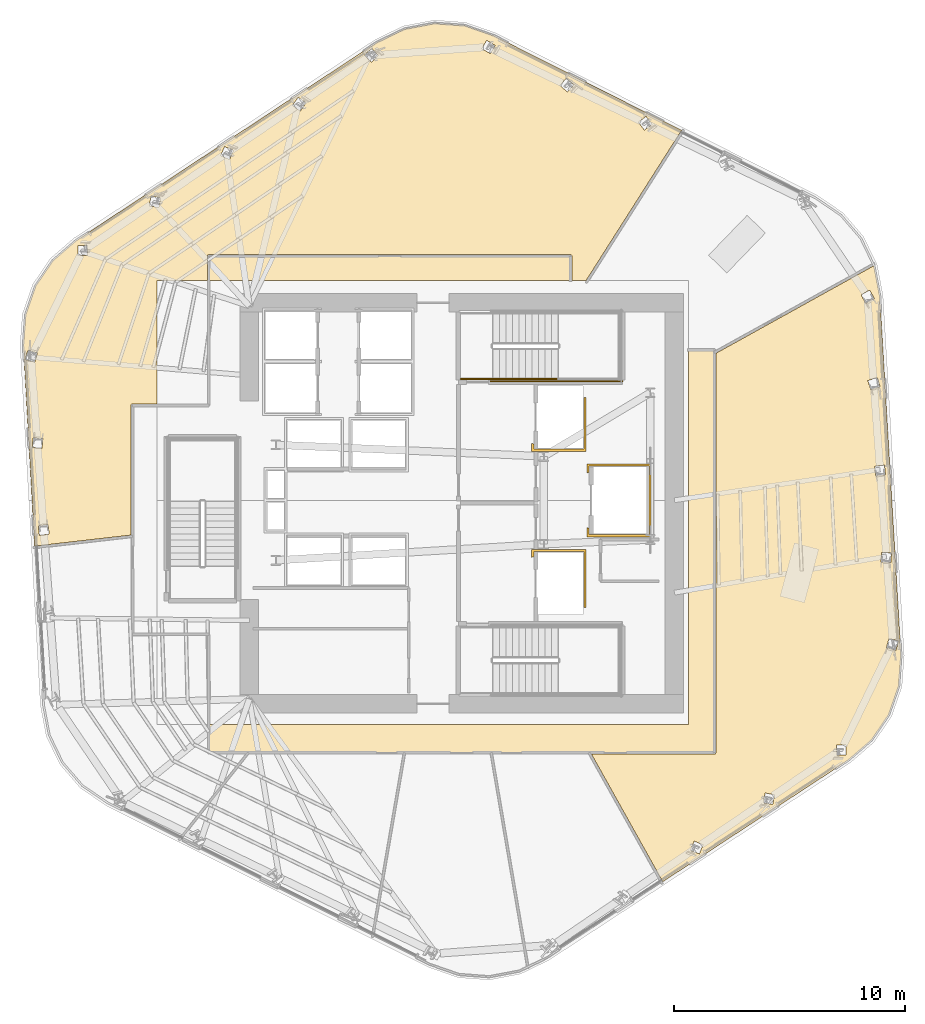
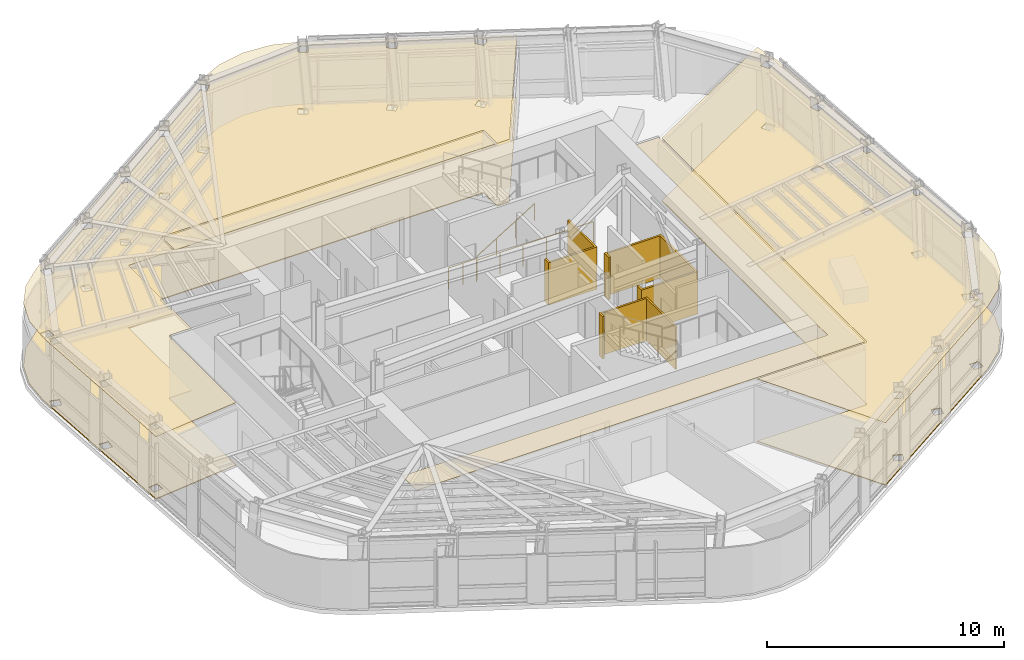
# One storey, part 12 of 15: 9 coverings, 3 railings.
"""IFC4 building model written with IfcOpenShell, lengths in metres."""

import ifcopenshell
import ifcopenshell.guid

model = None  # the IFC model being written
_history = None  # IfcOwnerHistory: only IFC2X3 demands one
_inside = {}  # id of a spatial element -> (the spatial element, [elements in it])
_under = {}  # id of a project, library or spatial element -> (it, [spatial elements below it])
_declared = {}  # id of a project -> (the project, [libraries it declares])
_typed = {}  # id of a type object -> (the type object, [elements of that type])
_made_of = {}  # id of a material, layer set ... -> (it, [elements and type objects made of it])


def new_model(schema):
    """Start an empty IFC model of exactly this schema.

    Asked for "IFC4X3", IfcOpenShell would pick the latest addendum, in which some entities
    have other attributes; the version numbers below select the first issue.
    IFC2X3 requires an IfcOwnerHistory on every rooted entity: one is made here for all.
    """
    global model, _history
    if schema == "IFC4X3":
        model = ifcopenshell.file(schema_version=(4, 3, 0, 0))
    else:
        model = ifcopenshell.file(schema=schema)
    _inside.clear()
    _under.clear()
    _declared.clear()
    _typed.clear()
    _made_of.clear()
    _history = None
    if model.schema == "IFC2X3":
        org = make("IfcOrganization", Name="unknown")
        user = make(
            "IfcPersonAndOrganization",
            ThePerson=make("IfcPerson", FamilyName="unknown"),
            TheOrganization=org,
        )
        app = make(
            "IfcApplication",
            ApplicationDeveloper=org,
            Version="unknown",
            ApplicationFullName="unknown",
            ApplicationIdentifier="unknown",
        )
        _history = make(
            "IfcOwnerHistory",
            OwningUser=user,
            OwningApplication=app,
            ChangeAction="ADDED",
            CreationDate=0,
        )
    return model


def make(cls, **values):
    """One entity of the class cls with the attributes given. An attribute that is None is left unset."""
    return model.create_entity(
        cls, **{name: value for name, value in values.items() if value is not None}
    )


def rooted(cls, **values):
    """An entity with a GlobalId (a new one), such as an element, a storey or a relation."""
    return make(cls, GlobalId=ifcopenshell.guid.new(), OwnerHistory=_history, **values)


def si_unit(unit_type, name, prefix=None):
    """IfcSIUnit, for example si_unit("LENGTHUNIT", "METRE", prefix="MILLI")."""
    return make("IfcSIUnit", UnitType=unit_type, Prefix=prefix, Name=name)


def assignment(units):
    """IfcUnitAssignment: the units of a project."""
    return None if units is None else make("IfcUnitAssignment", Units=units)


def point(xyz):
    """IfcCartesianPoint."""
    return None if xyz is None else make("IfcCartesianPoint", Coordinates=xyz)


def direction(xyz):
    """IfcDirection."""
    return None if xyz is None else make("IfcDirection", DirectionRatios=xyz)


def frame(location, z_axis=None, x_axis=None):
    """IfcAxis2Placement3D, a coordinate frame: its origin and axes. An axis left out is left unset."""
    return make(
        "IfcAxis2Placement3D",
        Location=point(location),
        Axis=direction(z_axis),
        RefDirection=direction(x_axis),
    )


def frame_2d(location, x_axis=None):
    """IfcAxis2Placement2D, a coordinate frame in the plane: its origin and x axis."""
    return make(
        "IfcAxis2Placement2D", Location=point(location), RefDirection=direction(x_axis)
    )


def origin():
    """The frame at (0, 0, 0) with its axes left unset."""
    return frame((0.0, 0.0, 0.0))


def origin_2d():
    """The frame at (0, 0) in the plane with its x axis left unset."""
    return frame_2d((0.0, 0.0))


def place(relative_to, where):
    """IfcLocalPlacement: puts the frame where relative to a parent placement (None: the world)."""
    return make(
        "IfcLocalPlacement", PlacementRelTo=relative_to, RelativePlacement=where
    )


def context(
    kind, dimensions, precision=None, world=None, true_north=None, identifier=None
):
    """IfcGeometricRepresentationContext, for example the 3D "Model" context."""
    return make(
        "IfcGeometricRepresentationContext",
        ContextIdentifier=identifier,
        ContextType=kind,
        CoordinateSpaceDimension=dimensions,
        Precision=precision,
        WorldCoordinateSystem=world,
        TrueNorth=true_north,
    )


def subcontext(parent, identifier, kind, view, scale=None):
    """IfcGeometricRepresentationSubContext, for example "Body" below "Model"."""
    return make(
        "IfcGeometricRepresentationSubContext",
        ContextIdentifier=identifier,
        ContextType=kind,
        ParentContext=parent,
        TargetScale=scale,
        TargetView=view,
    )


def project(units=None, contexts=None):
    """IfcProject with its units and contexts."""
    return rooted(
        "IfcProject",
        Name="project",
        RepresentationContexts=contexts,
        UnitsInContext=assignment(units),
    )


def spatial(cls, under=None, at=None, **own):
    """A site, building, storey or space (cls), placed at a placement, below another one or the project."""
    s = rooted(cls, ObjectPlacement=at, **own)
    if under is not None:
        _under.setdefault(under.id(), (under, []))[1].append(s)
    return s


def polyline(points):
    """IfcPolyline through the points."""
    return make("IfcPolyline", Points=[point(p) for p in points])


def profile(cls, at=None, kind="AREA", **sizes):
    """A parametric profile (cls). Its sizes go by their IFC names, for example OverallWidth=200.0."""
    return make(cls, ProfileType=kind, Position=at, **sizes)


def circle(**sizes):
    """IfcCircleProfileDef."""
    return profile("IfcCircleProfileDef", **sizes)


def outline(outer, holes=None, kind="AREA"):
    """IfcArbitraryClosedProfileDef: a profile drawn as a closed curve; with holes, ...WithVoids."""
    if holes is None:
        return make("IfcArbitraryClosedProfileDef", ProfileType=kind, OuterCurve=outer)
    return make(
        "IfcArbitraryProfileDefWithVoids",
        ProfileType=kind,
        OuterCurve=outer,
        InnerCurves=holes,
    )


def extrude(swept, where, along, depth):
    """IfcExtrudedAreaSolid: the profile swept, set in the frame where, extruded along a direction by depth."""
    return make(
        "IfcExtrudedAreaSolid",
        SweptArea=swept,
        Position=where,
        ExtrudedDirection=direction(along),
        Depth=depth,
    )


def shape(context_of_items, identifier, shape_type, items):
    """IfcShapeRepresentation: the items that make up one representation, for example the "Body"."""
    return make(
        "IfcShapeRepresentation",
        ContextOfItems=context_of_items,
        RepresentationIdentifier=identifier,
        RepresentationType=shape_type,
        Items=items,
    )


def material(Name=None, Category=None):
    """IfcMaterial."""
    return make("IfcMaterial", Name=Name, Category=Category)


def layer(
    of_material, thickness, ventilated=None, Name=None, Category=None, Priority=None
):
    """IfcMaterialLayer: one layer of a wall or slab, of a material (None: an air gap)."""
    return make(
        "IfcMaterialLayer",
        Material=of_material,
        LayerThickness=thickness,
        IsVentilated=ventilated,
        Name=Name,
        Category=Category,
        Priority=Priority,
    )


def layer_set(layers, Name=None):
    """IfcMaterialLayerSet."""
    return make("IfcMaterialLayerSet", MaterialLayers=layers, LayerSetName=Name)


def made_of(thing, what):
    """Note that an element or type object is made of a material, layer set ...; save() writes the relation."""
    if what is not None:
        _made_of.setdefault(what.id(), (what, []))[1].append(thing)
    return thing


def type_object(cls, material=None, **own):
    """A type object (cls), such as IfcWallType, which elements share."""
    return made_of(rooted(cls, **own), material)


def element(
    cls,
    number,
    at=None,
    inside=None,
    cuts=None,
    type_object=None,
    material=None,
    context=None,
    identifier="Body",
    shape_type=None,
    held_by="IfcProductDefinitionShape",
    body=None,
    shapes=None,
    **own,
):
    """One element of the class cls, such as IfcWall. Its Tag is "e" and its number.

    at: its placement. inside: the storey or other place that contains it. cuts: it is an
    opening in that element (IfcRelVoidsElement). A single representation is given by context,
    identifier, shape_type and body (its items); several are given by shapes. held_by: the class
    of the entity that holds the representations. save() writes the other relations.
    """
    e = rooted(cls, Tag="e%d" % number, ObjectPlacement=at, **own)
    if body is not None:
        shapes = [shape(context, identifier, shape_type, body)]
    if shapes is not None:
        e.Representation = make(held_by, Representations=shapes)
    if inside is not None:
        _inside.setdefault(inside.id(), (inside, []))[1].append(e)
    if cuts is not None:
        rooted(
            "IfcRelVoidsElement", RelatingBuildingElement=cuts, RelatedOpeningElement=e
        )
    if type_object is not None:
        _typed.setdefault(type_object.id(), (type_object, []))[1].append(e)
    return made_of(e, material)


def aggregate(whole, parts):
    """IfcRelAggregates: a whole, such as a stair, and the parts it consists of."""
    return rooted("IfcRelAggregates", RelatingObject=whole, RelatedObjects=parts)


def save(model, path):
    """Write the relations noted so far, then the file.

    IfcRelAggregates (storeys below a building ...), IfcRelContainedInSpatialStructure (elements
    in a storey), IfcRelDefinesByType, IfcRelAssociatesMaterial and IfcRelDeclares: one each for
    every whole, place, type object, material and project.
    """
    for whole, parts in _under.values():
        aggregate(whole, parts)
    for where, things in _inside.values():
        rooted(
            "IfcRelContainedInSpatialStructure",
            RelatedElements=things,
            RelatingStructure=where,
        )
    for kind, things in _typed.values():
        rooted("IfcRelDefinesByType", RelatedObjects=things, RelatingType=kind)
    for what, things in _made_of.values():
        rooted("IfcRelAssociatesMaterial", RelatedObjects=things, RelatingMaterial=what)
    for by, libraries in _declared.values():
        rooted("IfcRelDeclares", RelatingContext=by, RelatedDefinitions=libraries)
    model.write(path)


model = new_model("IFC4")

# Units and contexts
model_context = context("Model", 3, precision=1e-05, world=origin(), true_north=direction((0.0, 1.0)))
body_context = subcontext(model_context, "Body", "Model", "MODEL_VIEW")
ifc_project = project(units=[si_unit("LENGTHUNIT", "METRE"), si_unit("AREAUNIT", "SQUARE_METRE"), si_unit("VOLUMEUNIT", "CUBIC_METRE"), si_unit("PLANEANGLEUNIT", "RADIAN"), si_unit("MASSUNIT", "GRAM", prefix="KILO")], contexts=[model_context])

# Site, building, storey
site_placement = place(None, origin())
site = spatial("IfcSite", under=ifc_project, at=site_placement, CompositionType="ELEMENT")
building_placement = place(site_placement, origin())
building = spatial("IfcBuilding", under=site, at=building_placement, Name="Valkerne Bourse Tower", CompositionType="ELEMENT")
storey_placement = place(building_placement, frame((0.0, 0.0, 166.60009765625)))
storey = spatial("IfcBuildingStorey", under=building, at=storey_placement, Name="L42", CompositionType="ELEMENT", Elevation=166.60009765625)

# Coverings
ifc_material_1 = material(Name="Mineral Fiber Acoustic Ceiling Tile", Category="acoustic")
ifc_layer_1 = layer(ifc_material_1, 0.02490234375)
ifc_layer_set_1 = layer_set([ifc_layer_1], Name="Mineral Fiber Acoustic Ceiling Tile")
covering_type_1 = type_object("IfcCoveringType", Name="COV-CEIL-ACT", PredefinedType="CEILING", material=ifc_layer_set_1)
covering_1_placement = place(storey_placement, frame((0.0, 0.0, 3.22998046875)))
element("IfcCovering", 1, at=covering_1_placement, inside=storey, type_object=covering_type_1, Name="L42 Suspended Ceiling 09", PredefinedType="CEILING", context=body_context, shape_type="SweptSolid", body=[
    extrude(outline(polyline([(64.527587890625, 16.61962890625), (63.521484375, 15.751220703125), (55.493408203125, 10.492431640625), (52.4091796875, 16.010986328125), (57.720458984375, 16.010986328125), (57.755126953125, 16.0205078125), (57.779541015625, 16.044921875), (57.7890625, 16.07958984375), (57.7890625, 33.358154296875), (64.63134765625, 37.15185546875), (64.883056640625, 35.84375), (65.800537109375, 20.282470703125), (65.703125, 18.957275390625), (65.269287109375, 17.7109375), (64.527587890625, 16.61962890625)]), holes=[polyline([(57.07275390625, 11.69580078125), (57.237548828125, 12.086181640625), (56.856689453125, 12.248046875), (56.8544921875, 12.24658203125), (56.689697265625, 11.856201171875), (57.070556640625, 11.694091796875), (57.07275390625, 11.69580078125)]), polyline([(60.25048828125, 13.836181640625), (60.33203125, 14.251953125), (59.926025390625, 14.3330078125), (59.92431640625, 14.3310546875), (59.842529296875, 13.915283203125), (60.24853515625, 13.834228515625), (60.25048828125, 13.836181640625)]), polyline([(63.419921875, 16.4072265625), (63.006103515625, 16.410888671875), (63.00439453125, 16.408447265625), (63.002197265625, 15.98486328125), (63.416015625, 15.981201171875), (63.417724609375, 15.983642578125), (63.419921875, 16.4072265625)]), polyline([(65.692626953125, 20.908203125), (65.28369140625, 21.021728515625), (65.28271484375, 21.01904296875), (65.172119140625, 20.62109375), (65.581298828125, 20.50732421875), (65.582275390625, 20.510009765625), (65.692626953125, 20.908203125)]), polyline([(65.3935546875, 24.7158203125), (64.97021484375, 24.750732421875), (64.969970703125, 24.748046875), (64.936279296875, 24.336181640625), (65.359375, 24.301513671875), (65.359619140625, 24.30419921875), (65.3935546875, 24.7158203125)]), polyline([(65.13330078125, 28.107177734375), (65.13330078125, 28.10986328125), (65.08251953125, 28.52001953125), (64.660888671875, 28.468017578125), (64.6611328125, 28.46533203125), (64.7119140625, 28.05517578125), (65.13330078125, 28.107177734375)]), polyline([(64.8974609375, 31.92041015625), (64.896728515625, 31.923095703125), (64.763671875, 32.314208984375), (64.361572265625, 32.177490234375), (64.3623046875, 32.1748046875), (64.49560546875, 31.78369140625), (64.8974609375, 31.92041015625)]), polyline([(64.6494140625, 35.734619140625), (64.64794921875, 35.737060546875), (64.443603515625, 36.09619140625), (64.07470703125, 35.88623046875), (64.075927734375, 35.883544921875), (64.2802734375, 35.524658203125), (64.6494140625, 35.734619140625)])]), origin(), (0.0, 0.0, 1.0), 0.02490234375),
])
covering_2_placement = place(storey_placement, frame((0.0, 0.0, 3.22998046875)))
element("IfcCovering", 2, at=covering_2_placement, inside=storey, type_object=covering_type_1, Name="L42 Suspended Ceiling 10", PredefinedType="CEILING", context=body_context, shape_type="SweptSolid", body=[
    extrude(outline(polyline([(28.3515625, 36.278564453125), (29.09326171875, 37.3701171875), (30.099609375, 38.238525390625), (43.1171875, 46.813720703125), (44.313720703125, 47.39208984375), (45.610107421875, 47.639404296875), (46.92578125, 47.542724609375), (48.180908203125, 47.105712890625), (56.30419921875, 43.007080078125), (52.168212890625, 36.5), (51.569091796875, 36.5), (51.56884765625, 37.564697265625), (51.547119140625, 37.61083984375), (51.50439453125, 37.62890625), (35.849365234375, 37.62890625), (35.809326171875, 37.615966796875), (35.787841796875, 37.590087890625), (35.781005859375, 37.560546875), (35.781005859375, 36.5), (33.60009765625, 36.5), (33.60009765625, 31.1689453125), (32.549560546875, 31.1689453125), (32.514892578125, 31.15966796875), (32.490478515625, 31.135009765625), (32.48095703125, 31.1005859375), (32.48095703125, 25.4931640625), (28.31005859375, 25.01708984375), (27.8203125, 33.706787109375), (27.91748046875, 35.032470703125), (28.3515625, 36.278564453125)]), holes=[polyline([(28.938720703125, 25.53466796875), (28.88818359375, 25.94482421875), (28.466796875, 25.892822265625), (28.466796875, 25.89013671875), (28.517578125, 25.47998046875), (28.93896484375, 25.531982421875), (28.938720703125, 25.53466796875)]), polyline([(28.630126953125, 29.251953125), (28.663818359375, 29.663818359375), (28.24072265625, 29.698486328125), (28.240234375, 29.69580078125), (28.20654296875, 29.2841796875), (28.629638671875, 29.249267578125), (28.630126953125, 29.251953125)]), polyline([(28.427734375, 33.37890625), (28.018798828125, 33.49267578125), (28.017822265625, 33.489990234375), (27.9072265625, 33.091796875), (28.31640625, 32.978271484375), (28.3173828125, 32.98095703125), (28.427734375, 33.37890625)]), polyline([(30.597900390625, 38.01513671875), (30.183837890625, 38.018798828125), (30.182373046875, 38.016357421875), (30.179931640625, 37.5927734375), (30.593994140625, 37.589111328125), (30.595703125, 37.591552734375), (30.597900390625, 38.01513671875)]), polyline([(33.757568359375, 40.084716796875), (33.3515625, 40.165771484375), (33.349609375, 40.163818359375), (33.267822265625, 39.748046875), (33.673828125, 39.6669921875), (33.67578125, 39.6689453125), (33.757568359375, 40.084716796875)]), polyline([(36.74560546875, 41.75341796875), (36.910400390625, 42.143798828125), (36.529296875, 42.305908203125), (36.527099609375, 42.30419921875), (36.3623046875, 41.913818359375), (36.743408203125, 41.751953125), (36.74560546875, 41.75341796875)]), polyline([(55.02734375, 43.271484375), (54.7724609375, 43.610107421875), (54.77001953125, 43.611083984375), (54.439697265625, 43.361328125), (54.694580078125, 43.022705078125), (54.697021484375, 43.021728515625), (55.02734375, 43.271484375)]), polyline([(39.81103515625, 43.849365234375), (40.0517578125, 44.197998046875), (39.711669921875, 44.43408203125), (39.708984375, 44.43310546875), (39.468505859375, 44.08447265625), (39.80859375, 43.848388671875), (39.81103515625, 43.849365234375)]), polyline([(51.320556640625, 45.2607421875), (51.318115234375, 45.26123046875), (51.045654296875, 44.949462890625), (51.364013671875, 44.669921875), (51.366455078125, 44.669189453125), (51.638916015625, 44.981201171875), (51.320556640625, 45.2607421875)]), polyline([(43.180908203125, 46.2548828125), (42.89111328125, 46.550537109375), (42.888427734375, 46.550048828125), (42.586669921875, 46.252685546875), (42.876220703125, 45.95703125), (42.879150390625, 45.95751953125), (43.180908203125, 46.2548828125)]), polyline([(47.87451171875, 46.900390625), (47.87158203125, 46.900390625), (47.66259765625, 46.54296875), (48.027587890625, 46.328369140625), (48.030517578125, 46.328125), (48.239501953125, 46.685791015625), (47.87451171875, 46.900390625)])]), origin(), (0.0, 0.0, 1.0), 0.02490234375),
])
ifc_material_2 = material(Name="Bronze Anodised Aluminium AA 6063-T6", Category="aluminium")
ifc_layer_2 = layer(ifc_material_2, 0.030029296875)
ifc_layer_set_2 = layer_set([ifc_layer_2], Name="Bronze Anodised Aluminium AA 6063-T6")
covering_type_2 = type_object("IfcCoveringType", Name="COV-CEIL-METAL", PredefinedType="CEILING", material=ifc_layer_set_2)
covering_3_placement = place(storey_placement, frame((0.0, 0.0, 3.22998046875)))
element("IfcCovering", 3, at=covering_3_placement, inside=storey, type_object=covering_type_2, Name="L42 Suspended Ceiling 01", PredefinedType="CEILING", context=body_context, shape_type="SweptSolid", body=[
    extrude(outline(polyline([(35.85400390625, 17.300048828125), (56.60009765625, 17.300048828125), (56.60009765625, 33.49609375), (57.716064453125, 33.49609375), (57.716064453125, 16.083984375), (35.85400390625, 16.083984375), (35.85400390625, 17.300048828125)])), origin(), (0.0, 0.0, 1.0), 0.02490234375),
])
covering_4_placement = place(storey_placement, frame((0.0, 0.0, 3.22998046875)))
element("IfcCovering", 4, at=covering_4_placement, inside=storey, type_object=covering_type_2, Name="L42 Suspended Ceiling 03", PredefinedType="CEILING", context=body_context, shape_type="SweptSolid", body=[
    extrude(outline(polyline([(35.85400390625, 37.555908203125), (51.49609375, 37.555908203125), (51.49609375, 36.5), (35.85400390625, 36.5), (35.85400390625, 37.555908203125)])), origin(), (0.0, 0.0, 1.0), 0.02490234375),
])
ifc_material_3 = material(Name="Galvanised Painted Steel", Category="steel")
ifc_layer_3 = layer(ifc_material_3, 0.044921875)
ifc_layer_set_3 = layer_set([ifc_layer_3], Name="Galvanised Painted Steel")
covering_type_3 = type_object("IfcCoveringType", Name="COV-FLR-RAF", PredefinedType="FLOORING", material=ifc_layer_set_3)
covering_5_placement = place(storey_placement, origin())
element("IfcCovering", 5, at=covering_5_placement, inside=storey, type_object=covering_type_3, Name="L42 Floor Finish 09", PredefinedType="FLOORING", context=body_context, shape_type="SweptSolid", body=[
    extrude(outline(polyline([(64.527587890625, 16.61962890625), (63.521484375, 15.751220703125), (55.493408203125, 10.492431640625), (52.4091796875, 16.010986328125), (57.720458984375, 16.010986328125), (57.755126953125, 16.0205078125), (57.779541015625, 16.044921875), (57.7890625, 16.07958984375), (57.7890625, 33.358154296875), (64.63134765625, 37.15185546875), (64.883056640625, 35.84375), (65.800537109375, 20.282470703125), (65.703125, 18.957275390625), (65.269287109375, 17.7109375), (64.527587890625, 16.61962890625)]), holes=[polyline([(57.07275390625, 11.69580078125), (57.237548828125, 12.086181640625), (56.856689453125, 12.248046875), (56.8544921875, 12.24658203125), (56.689697265625, 11.856201171875), (57.070556640625, 11.694091796875), (57.07275390625, 11.69580078125)]), polyline([(60.25048828125, 13.836181640625), (60.33203125, 14.251953125), (59.926025390625, 14.3330078125), (59.92431640625, 14.3310546875), (59.842529296875, 13.915283203125), (60.24853515625, 13.834228515625), (60.25048828125, 13.836181640625)]), polyline([(63.419921875, 16.4072265625), (63.006103515625, 16.410888671875), (63.00439453125, 16.408447265625), (63.002197265625, 15.98486328125), (63.416015625, 15.981201171875), (63.417724609375, 15.983642578125), (63.419921875, 16.4072265625)]), polyline([(65.692626953125, 20.908203125), (65.28369140625, 21.021728515625), (65.28271484375, 21.01904296875), (65.172119140625, 20.62109375), (65.581298828125, 20.50732421875), (65.582275390625, 20.510009765625), (65.692626953125, 20.908203125)]), polyline([(65.3935546875, 24.7158203125), (64.97021484375, 24.750732421875), (64.969970703125, 24.748046875), (64.936279296875, 24.336181640625), (65.359375, 24.301513671875), (65.359619140625, 24.30419921875), (65.3935546875, 24.7158203125)]), polyline([(65.13330078125, 28.107177734375), (65.13330078125, 28.10986328125), (65.08251953125, 28.52001953125), (64.660888671875, 28.468017578125), (64.6611328125, 28.46533203125), (64.7119140625, 28.05517578125), (65.13330078125, 28.107177734375)]), polyline([(64.8974609375, 31.92041015625), (64.896728515625, 31.923095703125), (64.763671875, 32.314208984375), (64.361572265625, 32.177490234375), (64.3623046875, 32.1748046875), (64.49560546875, 31.78369140625), (64.8974609375, 31.92041015625)]), polyline([(64.6494140625, 35.734619140625), (64.64794921875, 35.737060546875), (64.443603515625, 36.09619140625), (64.07470703125, 35.88623046875), (64.075927734375, 35.883544921875), (64.2802734375, 35.524658203125), (64.6494140625, 35.734619140625)])]), origin(), (0.0, 0.0, 1.0), 0.044921875),
])
covering_6_placement = place(storey_placement, origin())
element("IfcCovering", 6, at=covering_6_placement, inside=storey, type_object=covering_type_3, Name="L42 Floor Finish 10", PredefinedType="FLOORING", context=body_context, shape_type="SweptSolid", body=[
    extrude(outline(polyline([(28.3515625, 36.278564453125), (29.09326171875, 37.3701171875), (30.099609375, 38.238525390625), (43.1171875, 46.813720703125), (44.313720703125, 47.39208984375), (45.610107421875, 47.639404296875), (46.92578125, 47.542724609375), (48.180908203125, 47.105712890625), (56.30419921875, 43.007080078125), (52.168212890625, 36.5), (51.569091796875, 36.5), (51.56884765625, 37.564697265625), (51.547119140625, 37.61083984375), (51.50439453125, 37.62890625), (35.849365234375, 37.62890625), (35.809326171875, 37.615966796875), (35.787841796875, 37.590087890625), (35.781005859375, 37.560546875), (35.781005859375, 36.5), (33.60009765625, 36.5), (33.60009765625, 31.1689453125), (32.549560546875, 31.1689453125), (32.514892578125, 31.15966796875), (32.490478515625, 31.135009765625), (32.48095703125, 31.1005859375), (32.48095703125, 25.4931640625), (28.31005859375, 25.01708984375), (27.8203125, 33.706787109375), (27.91748046875, 35.032470703125), (28.3515625, 36.278564453125)]), holes=[polyline([(28.938720703125, 25.53466796875), (28.88818359375, 25.94482421875), (28.466796875, 25.892822265625), (28.466796875, 25.89013671875), (28.517578125, 25.47998046875), (28.93896484375, 25.531982421875), (28.938720703125, 25.53466796875)]), polyline([(28.630126953125, 29.251953125), (28.663818359375, 29.663818359375), (28.24072265625, 29.698486328125), (28.240234375, 29.69580078125), (28.20654296875, 29.2841796875), (28.629638671875, 29.249267578125), (28.630126953125, 29.251953125)]), polyline([(28.427734375, 33.37890625), (28.018798828125, 33.49267578125), (28.017822265625, 33.489990234375), (27.9072265625, 33.091796875), (28.31640625, 32.978271484375), (28.3173828125, 32.98095703125), (28.427734375, 33.37890625)]), polyline([(30.597900390625, 38.01513671875), (30.183837890625, 38.018798828125), (30.182373046875, 38.016357421875), (30.179931640625, 37.5927734375), (30.593994140625, 37.589111328125), (30.595703125, 37.591552734375), (30.597900390625, 38.01513671875)]), polyline([(33.757568359375, 40.084716796875), (33.3515625, 40.165771484375), (33.349609375, 40.163818359375), (33.267822265625, 39.748046875), (33.673828125, 39.6669921875), (33.67578125, 39.6689453125), (33.757568359375, 40.084716796875)]), polyline([(36.74560546875, 41.75341796875), (36.910400390625, 42.143798828125), (36.529296875, 42.305908203125), (36.527099609375, 42.30419921875), (36.3623046875, 41.913818359375), (36.743408203125, 41.751953125), (36.74560546875, 41.75341796875)]), polyline([(55.02734375, 43.271484375), (54.7724609375, 43.610107421875), (54.77001953125, 43.611083984375), (54.439697265625, 43.361328125), (54.694580078125, 43.022705078125), (54.697021484375, 43.021728515625), (55.02734375, 43.271484375)]), polyline([(39.81103515625, 43.849365234375), (40.0517578125, 44.197998046875), (39.711669921875, 44.43408203125), (39.708984375, 44.43310546875), (39.468505859375, 44.08447265625), (39.80859375, 43.848388671875), (39.81103515625, 43.849365234375)]), polyline([(51.320556640625, 45.2607421875), (51.318115234375, 45.26123046875), (51.045654296875, 44.949462890625), (51.364013671875, 44.669921875), (51.366455078125, 44.669189453125), (51.638916015625, 44.981201171875), (51.320556640625, 45.2607421875)]), polyline([(43.180908203125, 46.2548828125), (42.89111328125, 46.550537109375), (42.888427734375, 46.550048828125), (42.586669921875, 46.252685546875), (42.876220703125, 45.95703125), (42.879150390625, 45.95751953125), (43.180908203125, 46.2548828125)]), polyline([(47.87451171875, 46.900390625), (47.87158203125, 46.900390625), (47.66259765625, 46.54296875), (48.027587890625, 46.328369140625), (48.030517578125, 46.328125), (48.239501953125, 46.685791015625), (47.87451171875, 46.900390625)])]), origin(), (0.0, 0.0, 1.0), 0.044921875),
])
ifc_material_4 = material(Name="Gypsum Shaftwall Liner Board", Category="gypsum")
ifc_layer_4 = layer(ifc_material_4, 0.080078125)
ifc_layer_set_4 = layer_set([ifc_layer_4], Name="Gypsum Shaftwall Liner Board")
covering_type_4 = type_object("IfcCoveringType", Name="COV-SHF-CLAD", PredefinedType="CLADDING", material=ifc_layer_set_4)
covering_7_placement = place(storey_placement, origin())
element("IfcCovering", 7, at=covering_7_placement, inside=storey, type_object=covering_type_4, Name="L42 Hoistway & Riser Shaftwall Liner 05", PredefinedType="CLADDING", context=body_context, shape_type="SweptSolid", body=[
    extrude(outline(polyline([(52.179931640625, 22.35009765625), (52.090087890625, 22.35009765625), (52.090087890625, 24.7900390625), (49.909912109375, 24.7900390625), (49.909912109375, 24.560791015625), (49.869384765625, 24.550537109375), (49.827880859375, 24.53564453125), (49.820068359375, 24.531982421875), (49.820068359375, 24.8798828125), (52.179931640625, 24.8798828125), (52.179931640625, 22.35009765625)])), origin(), (0.0, 0.0, 1.0), 2.179931640625),
])
covering_8_placement = place(storey_placement, origin())
element("IfcCovering", 8, at=covering_8_placement, inside=storey, type_object=covering_type_4, Name="L42 Hoistway & Riser Shaftwall Liner 06", PredefinedType="CLADDING", context=body_context, shape_type="SweptSolid", body=[
    extrude(outline(polyline([(54.97998046875, 25.419921875), (52.219970703125, 25.419921875), (52.219970703125, 25.81787109375), (52.227783203125, 25.814208984375), (52.269287109375, 25.79931640625), (52.31005859375, 25.789306640625), (52.31005859375, 25.510009765625), (54.889892578125, 25.510009765625), (54.889892578125, 28.489990234375), (52.31005859375, 28.489990234375), (52.31005859375, 28.210693359375), (52.269287109375, 28.20068359375), (52.227783203125, 28.185791015625), (52.219970703125, 28.18212890625), (52.219970703125, 28.580078125), (54.97998046875, 28.580078125), (54.97998046875, 25.419921875)])), origin(), (0.0, 0.0, 1.0), 2.179931640625),
])
covering_9_placement = place(storey_placement, origin())
element("IfcCovering", 9, at=covering_9_placement, inside=storey, type_object=covering_type_4, Name="L42 Hoistway & Riser Shaftwall Liner 08", PredefinedType="CLADDING", context=body_context, shape_type="SweptSolid", body=[
    extrude(outline(polyline([(49.820068359375, 29.1201171875), (49.820068359375, 29.468017578125), (49.827880859375, 29.46435546875), (49.869384765625, 29.449462890625), (49.909912109375, 29.439208984375), (49.909912109375, 29.2099609375), (52.090087890625, 29.2099609375), (52.090087890625, 31.449951171875), (52.179931640625, 31.449951171875), (52.179931640625, 29.1201171875), (49.820068359375, 29.1201171875)])), origin(), (0.0, 0.0, 1.0), 2.179931640625),
])

# Railings
railing_type_1 = type_object("IfcRailingType", Name="RLG-ST-GUARD-1120", PredefinedType="GUARDRAIL", material=ifc_material_3)
railing_1_placement = place(storey_placement, frame((46.75, 32.25, 0.0)))
element("IfcRailing", 10, at=railing_1_placement, inside=storey, type_object=railing_type_1, Name="L42 ST-2 stair guard 8", PredefinedType="GUARDRAIL", context=body_context, shape_type="SweptSolid", body=[
    extrude(circle(Radius=0.02392578125, at=origin_2d()), frame((0.0, 0.0, 1.09619140625), z_axis=(1.0, 0.0, 0.0), x_axis=(0.0, 1.0, 0.0)), (0.0, 0.0, 1.0), 1.39990234375),
    extrude(circle(Radius=0.02099609375, at=origin_2d()), origin(), (0.0, 0.0, 1.0), 1.072021484375),
    extrude(circle(Radius=0.02099609375, at=origin_2d()), frame((0.699951171875, 0.0, 0.0)), (0.0, 0.0, 1.0), 1.072021484375),
    extrude(circle(Radius=0.02099609375, at=origin_2d()), frame((1.39990234375, 0.0, 0.0)), (0.0, 0.0, 1.0), 1.072021484375),
])
railing_2_placement = place(storey_placement, frame((48.050048828125, 32.14990234375, 0.0)))
element("IfcRailing", 11, at=railing_2_placement, inside=storey, type_object=railing_type_1, Name="L42 ST-2 stair guard 10", PredefinedType="GUARDRAIL", context=body_context, shape_type="SweptSolid", body=[
    extrude(circle(Radius=0.02392578125, at=origin_2d()), frame((0.0, 0.0, 1.09619140625), z_axis=(1.0, 0.0, 0.0), x_axis=(0.0, 1.0, 0.0)), (0.0, 0.0, 1.0), 5.699951171875),
    extrude(circle(Radius=0.02099609375, at=origin_2d()), origin(), (0.0, 0.0, 1.0), 1.072021484375),
    extrude(circle(Radius=0.02099609375, at=origin_2d()), frame((1.139892578125, 0.0, 0.0)), (0.0, 0.0, 1.0), 1.072021484375),
    extrude(circle(Radius=0.02099609375, at=origin_2d()), frame((2.280029296875, 0.0, 0.0)), (0.0, 0.0, 1.0), 1.072021484375),
    extrude(circle(Radius=0.02099609375, at=origin_2d()), frame((3.419921875, 0.0, 0.0)), (0.0, 0.0, 1.0), 1.072021484375),
    extrude(circle(Radius=0.02099609375, at=origin_2d()), frame((4.56005859375, 0.0, 0.0)), (0.0, 0.0, 1.0), 1.072021484375),
    extrude(circle(Radius=0.02099609375, at=origin_2d()), frame((5.699951171875, 0.0, 0.0)), (0.0, 0.0, 1.0), 1.072021484375),
])
ifc_material_5 = material(Name="Stainless Steel AISI 316", Category="steel")
railing_type_2 = type_object("IfcRailingType", Name="RLG-ST-HANDRAIL-900", PredefinedType="HANDRAIL", material=ifc_material_5)
railing_3_placement = place(storey_placement, frame((48.14990234375, 32.25, 0.345458984375)))
element("IfcRailing", 12, at=railing_3_placement, inside=storey, type_object=railing_type_2, Name="L42 ST-2 stair handrail 1", PredefinedType="HANDRAIL", context=body_context, shape_type="SweptSolid", body=[
    extrude(circle(Radius=0.02392578125, at=origin_2d()), frame((0.0, 0.0, 0.8759765625), z_axis=(0.851122791225, 0.0, 0.524966660138), x_axis=(0.0, 1.0, 0.0)), (0.0, 0.0, 1.0), 3.289794921875),
    extrude(circle(Radius=0.02099609375, at=origin_2d()), origin(), (0.0, 0.0, 1.0), 0.851806640625),
    extrude(circle(Radius=0.02099609375, at=origin_2d()), frame((0.933349609375, 0.0, 0.57568359375)), (0.0, 0.0, 1.0), 0.851806640625),
    extrude(circle(Radius=0.02099609375, at=origin_2d()), frame((1.86669921875, 0.0, 1.1513671875)), (0.0, 0.0, 1.0), 0.851806640625),
    extrude(circle(Radius=0.02099609375, at=origin_2d()), frame((2.800048828125, 0.0, 1.72705078125)), (0.0, 0.0, 1.0), 0.851806640625),
])

save(model, "model.ifc")
